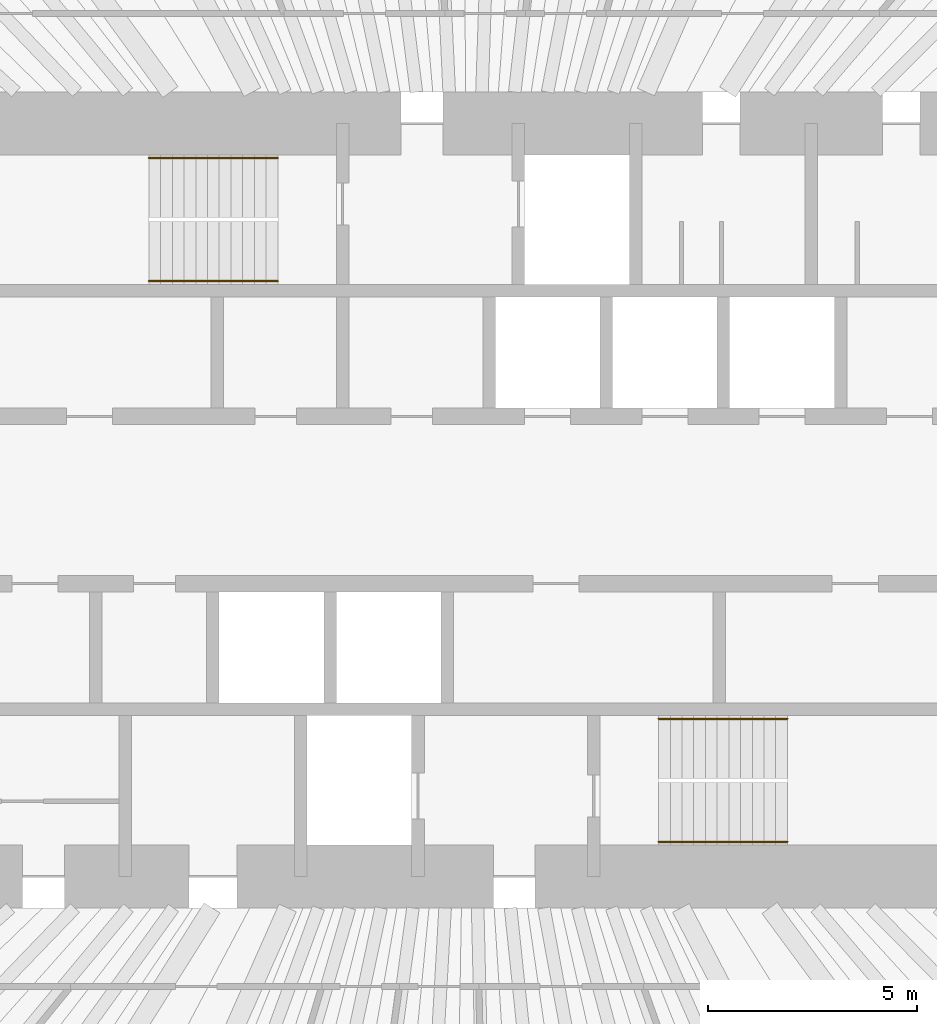
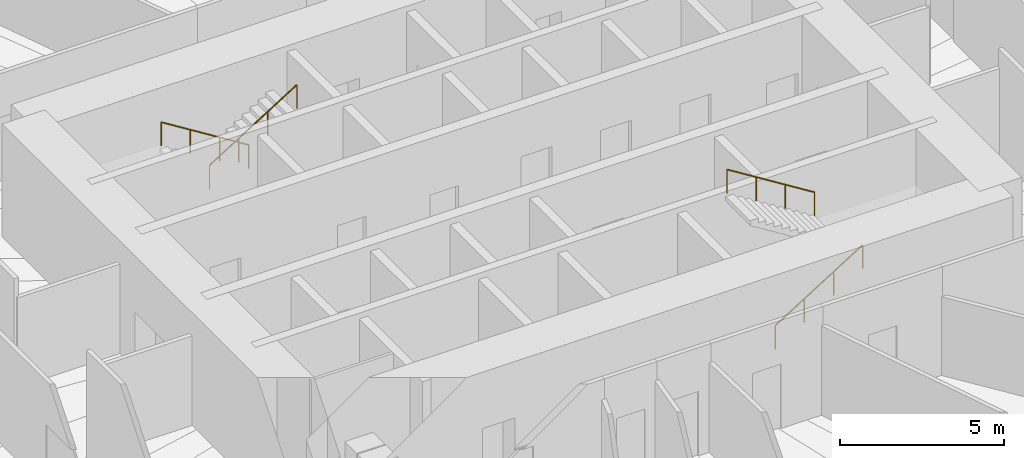
# One storey, part 13 of 13: 4 railings.
"""IFC4 building model written with IfcOpenShell, lengths in metres."""

from ifc_helpers import new_model, si_unit, direction, frame, origin, origin_2d, place, context, subcontext, project, spatial, circle, extrude, material, type_object, element, save


model = new_model("IFC4")

# Units and contexts
model_context = context("Model", 3, precision=1e-05, world=origin(), true_north=direction((0.0, 1.0)))
body_context = subcontext(model_context, "Body", "Model", "MODEL_VIEW")
ifc_project = project(units=[si_unit("LENGTHUNIT", "METRE"), si_unit("AREAUNIT", "SQUARE_METRE"), si_unit("VOLUMEUNIT", "CUBIC_METRE"), si_unit("PLANEANGLEUNIT", "RADIAN"), si_unit("MASSUNIT", "GRAM", prefix="KILO")], contexts=[model_context])

# Site, building, storey
site_placement = place(None, origin())
site = spatial("IfcSite", under=ifc_project, at=site_placement, CompositionType="ELEMENT")
building_placement = place(site_placement, origin())
building = spatial("IfcBuilding", under=site, at=building_placement, Name="Qingtian Harvest Tower", CompositionType="ELEMENT")
storey_placement = place(building_placement, frame((0.0, 0.0, 111.39990234375)))
storey = spatial("IfcBuildingStorey", under=building, at=storey_placement, Name="L22", CompositionType="ELEMENT", Elevation=111.39990234375)

# Railings
ifc_material = material(Name="Stainless steel handrail", Category="steel")
railing_type = type_object("IfcRailingType", Name="Handrail HR1", PredefinedType="HANDRAIL", material=ifc_material)
railing_1_placement = place(storey_placement, frame((-4.550048828125, 8.169921875, 0.175048828125)))
element("IfcRailing", 1, at=railing_1_placement, inside=storey, type_object=railing_type, Name="Handrail HR1 S1 flight 1", PredefinedType="HANDRAIL", context=body_context, shape_type="SweptSolid", body=[
    extrude(circle(Radius=0.02392578125, at=origin_2d()), frame((0.0, 0.0, 0.8759765625), z_axis=(-0.847979421464, 0.0, 0.530029150871), x_axis=(0.0, -1.0, 0.0)), (0.0, 0.0, 1.0), 3.632080078125),
    extrude(circle(Radius=0.02099609375, at=origin_2d()), origin(), (0.0, 0.0, 1.0), 0.851806640625),
    extrude(circle(Radius=0.02099609375, at=origin_2d()), frame((-1.026611328125, 0.0, 0.6416015625)), (0.0, 0.0, 1.0), 0.851806640625),
    extrude(circle(Radius=0.02099609375, at=origin_2d()), frame((-2.05322265625, 0.0, 1.283447265625)), (0.0, 0.0, 1.0), 0.851806640625),
    extrude(circle(Radius=0.02099609375, at=origin_2d()), frame((-3.079833984375, 0.0, 1.925048828125)), (0.0, 0.0, 1.0), 0.851806640625),
])
for number, where, name in (
    (2, (-7.6298828125, 5.22998046875, 2.275146484375), "Handrail HR1 S1 flight 2"),
    (3, (4.550048828125, -8.169921875, 0.175048828125), "Handrail HR1 S2 flight 1"),
):
    element("IfcRailing", number, at=place(storey_placement, frame(where)), inside=storey, type_object=railing_type, Name=name, PredefinedType="HANDRAIL", context=body_context, shape_type="SweptSolid", body=[
        extrude(circle(Radius=0.02392578125, at=origin_2d()), frame((0.0, 0.0, 0.8759765625), z_axis=(0.847979421464, 0.0, 0.530029150871), x_axis=(0.0, 1.0, 0.0)), (0.0, 0.0, 1.0), 3.632080078125),
        extrude(circle(Radius=0.02099609375, at=origin_2d()), origin(), (0.0, 0.0, 1.0), 0.851806640625),
        extrude(circle(Radius=0.02099609375, at=origin_2d()), frame((1.026611328125, 0.0, 0.6416015625)), (0.0, 0.0, 1.0), 0.851806640625),
        extrude(circle(Radius=0.02099609375, at=origin_2d()), frame((2.05322265625, 0.0, 1.283447265625)), (0.0, 0.0, 1.0), 0.851806640625),
        extrude(circle(Radius=0.02099609375, at=origin_2d()), frame((3.079833984375, 0.0, 1.925048828125)), (0.0, 0.0, 1.0), 0.851806640625),
    ])
railing_2_placement = place(storey_placement, frame((7.6298828125, -5.22998046875, 2.275146484375)))
element("IfcRailing", 4, at=railing_2_placement, inside=storey, type_object=railing_type, Name="Handrail HR1 S2 flight 2", PredefinedType="HANDRAIL", context=body_context, shape_type="SweptSolid", body=[
    extrude(circle(Radius=0.02392578125, at=origin_2d()), frame((0.0, 0.0, 0.8759765625), z_axis=(-0.847979421464, 0.0, 0.530029150871), x_axis=(0.0, -1.0, 0.0)), (0.0, 0.0, 1.0), 3.632080078125),
    extrude(circle(Radius=0.02099609375, at=origin_2d()), origin(), (0.0, 0.0, 1.0), 0.851806640625),
    extrude(circle(Radius=0.02099609375, at=origin_2d()), frame((-1.026611328125, 0.0, 0.6416015625)), (0.0, 0.0, 1.0), 0.851806640625),
    extrude(circle(Radius=0.02099609375, at=origin_2d()), frame((-2.05322265625, 0.0, 1.283447265625)), (0.0, 0.0, 1.0), 0.851806640625),
    extrude(circle(Radius=0.02099609375, at=origin_2d()), frame((-3.079833984375, 0.0, 1.925048828125)), (0.0, 0.0, 1.0), 0.851806640625),
])

save(model, "model.ifc")
